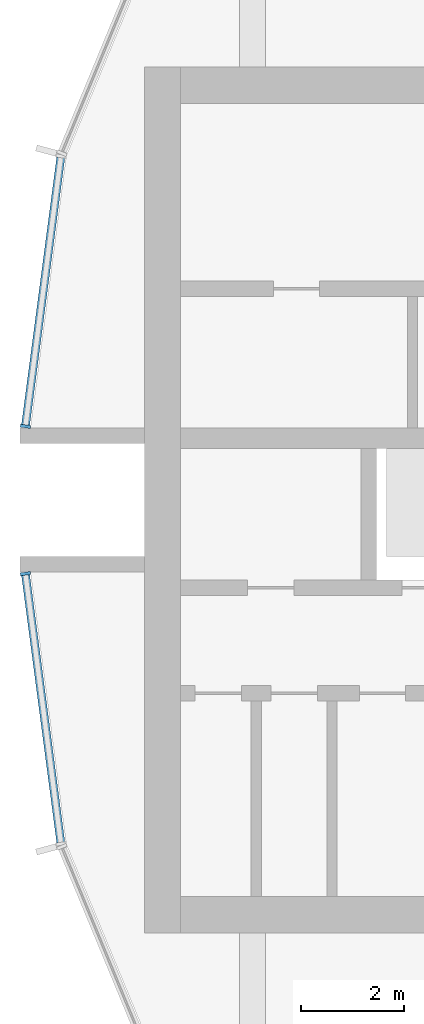
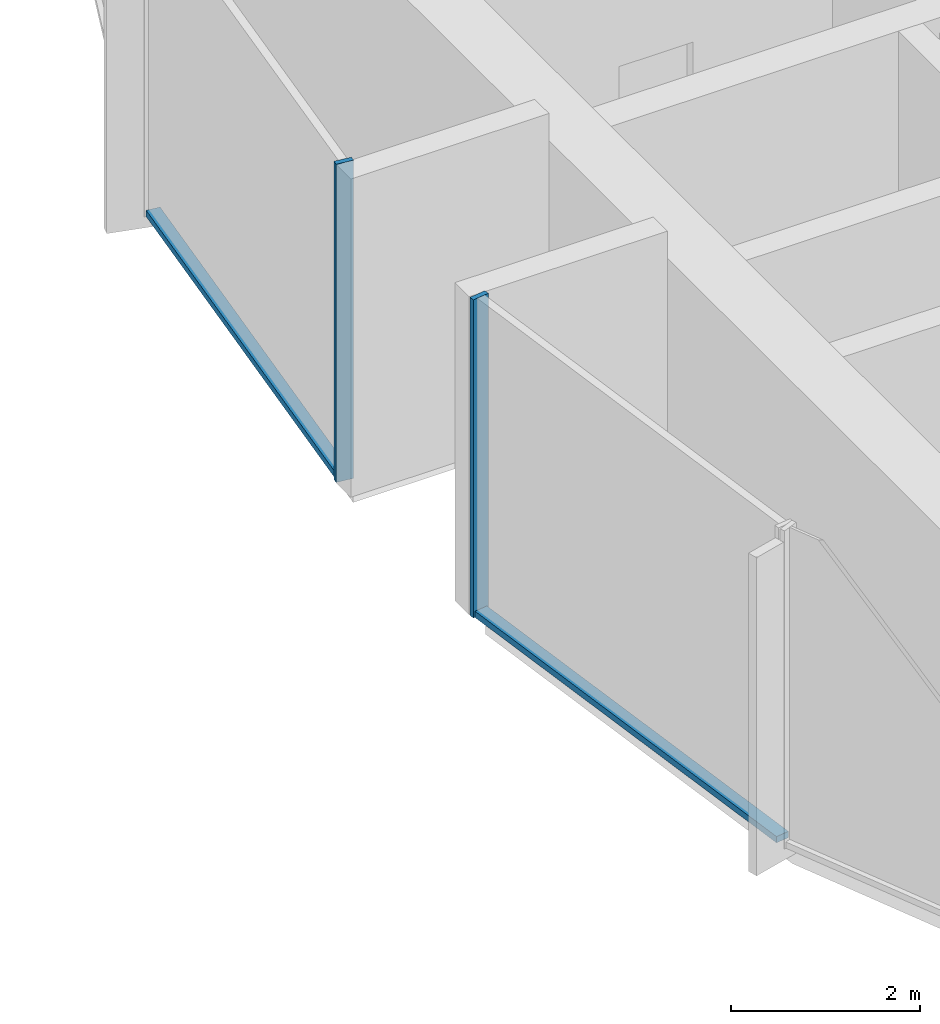
# One storey, part 3 of 15: 4 members, 2 elements without a shape of their own.
"""IFC4 building model written with IfcOpenShell, lengths in metres."""

from ifc_helpers import new_model, si_unit, direction, frame, origin, origin_2d, place, context, subcontext, project, spatial, rectangle, extrude, material, layer, layer_set, material_profile, profile_set, type_object, element, aggregate, save


model = new_model("IFC4")

# Units and contexts
model_context = context("Model", 3, precision=1e-05, world=origin(), true_north=direction((0.0, 1.0)))
body_context = subcontext(model_context, "Body", "Model", "MODEL_VIEW")
ifc_project = project(units=[si_unit("LENGTHUNIT", "METRE"), si_unit("AREAUNIT", "SQUARE_METRE"), si_unit("VOLUMEUNIT", "CUBIC_METRE"), si_unit("PLANEANGLEUNIT", "RADIAN"), si_unit("MASSUNIT", "GRAM", prefix="KILO")], contexts=[model_context])

# Site, building, storey
site_placement = place(None, origin())
site = spatial("IfcSite", under=ifc_project, at=site_placement, CompositionType="ELEMENT")
building_placement = place(site_placement, origin())
building = spatial("IfcBuilding", under=site, at=building_placement, Name="Torre Brocal", CompositionType="ELEMENT")
storey_placement = place(building_placement, frame((0.0, 0.0, 202.800048828125)))
storey = spatial("IfcBuildingStorey", under=building, at=storey_placement, Name="L47", CompositionType="ELEMENT", Elevation=202.800048828125)

# Curtain wall, member
ifc_material_1 = material(Name="Aluminium and glass", Category="aluminium")
ifc_layer = layer(ifc_material_1, 0.199951171875)
ifc_layer_set = layer_set([ifc_layer], Name="Aluminium and glass")
curtain_wall_type = type_object("IfcCurtainWallType", Name="CW-1B CURTAIN WALL 4100 HIGH", PredefinedType="NOTDEFINED", material=ifc_layer_set)
curtain_wall_1_placement = place(storey_placement, origin())
curtain_wall_1 = element("IfcCurtainWall", 1, at=curtain_wall_1_placement, inside=storey, type_object=curtain_wall_type, Name="CW-1B RUN 12", PredefinedType="NOTDEFINED")
ifc_material_2 = material(Name="Aluminium, dark anodised", Category="aluminium")
ifc_material_profile_1 = material_profile(ifc_material_2, rectangle(XDim=0.199951171875, YDim=0.06005859375, at=origin_2d()), Name="CW-1B MULLION 60X200")
ifc_profile_set_1 = profile_set([ifc_material_profile_1], Name="Aluminium, dark anodised")
member_type_1 = type_object("IfcMemberType", Name="CW-1B MULLION 60X200", PredefinedType="MULLION", material=ifc_profile_set_1)
member_1_placement = place(storey_placement, frame((54.2890625, 76.4296875, 0.0), z_axis=(0.0, 0.0, 1.0), x_axis=(0.991444861374, -0.13052619222, 0.0)))
member_1 = element("IfcMember", 2, at=member_1_placement, type_object=member_type_1, Name="CW1B-4 mullion 2", PredefinedType="MULLION", context=body_context, shape_type="SweptSolid", body=[
    extrude(rectangle(XDim=0.199951171875, YDim=0.06005859375, at=origin_2d()), origin(), (0.0, 0.0, 1.0), 4.099853515625),
])

curtain_wall_2_placement = place(storey_placement, origin())
curtain_wall_2 = element("IfcCurtainWall", 3, at=curtain_wall_2_placement, inside=storey, type_object=curtain_wall_type, Name="CW-1B RUN 13", PredefinedType="NOTDEFINED")
member_2_placement = place(storey_placement, frame((54.2890625, 73.5703125, 0.0), z_axis=(0.0, 0.0, 1.0), x_axis=(0.991444861374, 0.13052619222, 0.0)))
member_2 = element("IfcMember", 4, at=member_2_placement, type_object=member_type_1, Name="CW1B-4 mullion 1", PredefinedType="MULLION", context=body_context, shape_type="SweptSolid", body=[
    extrude(rectangle(XDim=0.199951171875, YDim=0.06005859375, at=origin_2d()), origin(), (0.0, 0.0, 1.0), 4.099853515625),
])

# Member
ifc_material_3 = material(Name="Aluminium, dark anodised", Category="aluminium")
ifc_material_profile_2 = material_profile(ifc_material_3, rectangle(XDim=0.159912109375, YDim=0.080078125, at=origin_2d()), Name="CW-1B TRANSOM 160X80")
ifc_profile_set_2 = profile_set([ifc_material_profile_2], Name="Aluminium, dark anodised")
member_type_2 = type_object("IfcMemberType", Name="CW-1B TRANSOM 160X80", PredefinedType="USERDEFINED", material=ifc_profile_set_2)
member_3_placement = place(storey_placement, frame((54.9755859375, 81.643798828125, 0.0400390625), z_axis=(-0.130542677827, -0.991442690863, 0.0), x_axis=(0.991442690863, -0.130542677827, 0.0)))
member_3 = element("IfcMember", 5, at=member_3_placement, type_object=member_type_2, Name="CW1B-4 transom 1.1", ObjectType="TRANSOM", PredefinedType="USERDEFINED", context=body_context, shape_type="SweptSolid", body=[
    extrude(rectangle(XDim=0.159912109375, YDim=0.080078125, at=origin_2d()), origin(), (0.0, 0.0, 1.0), 5.22900390625),
])

aggregate(curtain_wall_1, [member_1, member_3])

member_4_placement = place(storey_placement, frame((54.29296875, 73.54052734375, 0.0400390625), z_axis=(0.130542677827, -0.991442690863, 0.0), x_axis=(0.991442690863, 0.130542677827, 0.0)))
member_4 = element("IfcMember", 6, at=member_4_placement, type_object=member_type_2, Name="CW1B-4 transom 1.1", ObjectType="TRANSOM", PredefinedType="USERDEFINED", context=body_context, shape_type="SweptSolid", body=[
    extrude(rectangle(XDim=0.159912109375, YDim=0.080078125, at=origin_2d()), origin(), (0.0, 0.0, 1.0), 5.22900390625),
])

aggregate(curtain_wall_2, [member_2, member_4])

save(model, "model.ifc")
